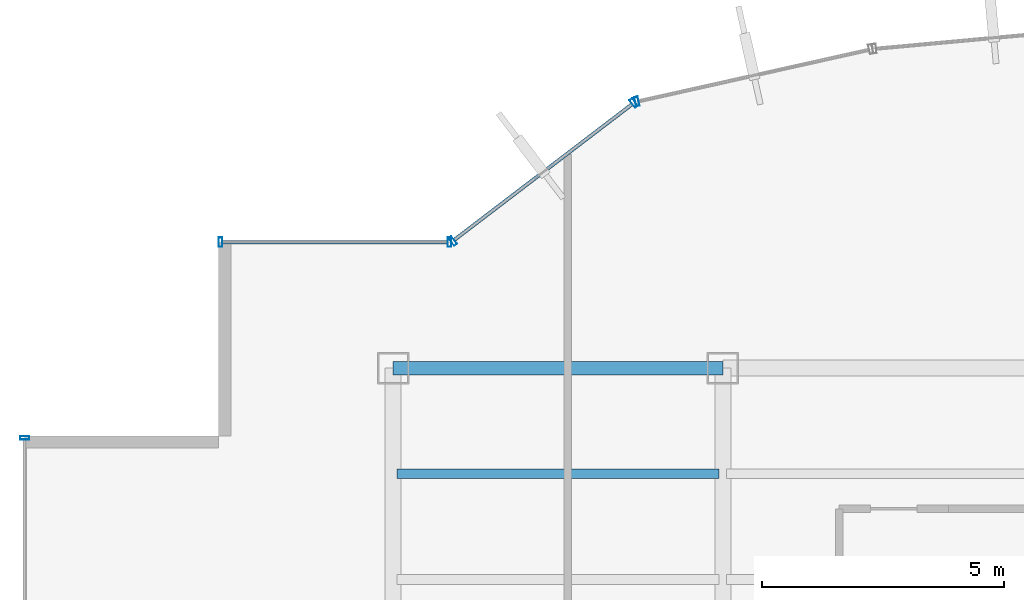
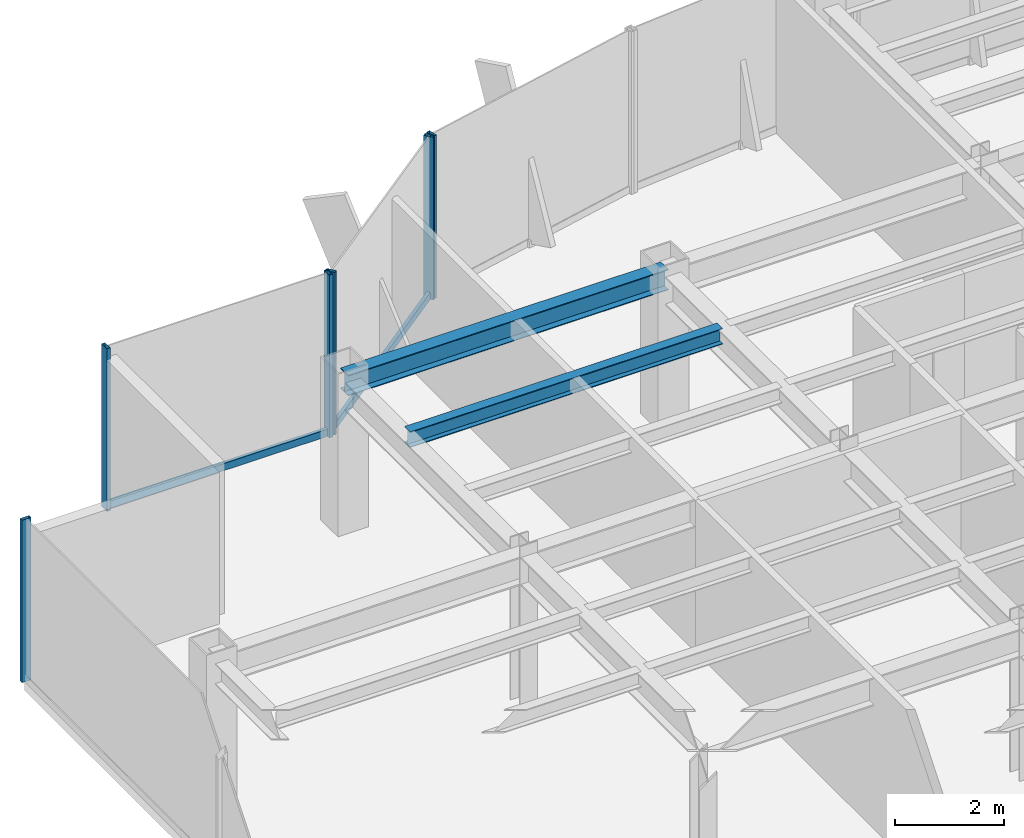
# One storey, part 14 of 25: 8 members, 2 beams, 4 elements without a shape of their own.
"""IFC4 building model written with IfcOpenShell, lengths in metres."""

from ifc_helpers import new_model, si_unit, derived_unit, direction, frame, origin, origin_2d, place, context, subcontext, project, spatial, hollow_rectangle, i_section, extrude, source, transform, mapped, material, material_profile, profile_set, type_object, element, aggregate, save


model = new_model("IFC4")

# Units and contexts
model_context = context("Model", 3, precision=1e-05, world=origin(), true_north=direction((0.0, 1.0)))
body_context = subcontext(model_context, "Body", "Model", "MODEL_VIEW")
ifc_project = project(units=[si_unit("LENGTHUNIT", "METRE"), si_unit("AREAUNIT", "SQUARE_METRE"), si_unit("VOLUMEUNIT", "CUBIC_METRE"), si_unit("PLANEANGLEUNIT", "RADIAN"), si_unit("MASSUNIT", "GRAM", prefix="KILO"), derived_unit("THERMALTRANSMITTANCEUNIT", [(si_unit("POWERUNIT", "WATT"), 1), (si_unit("LENGTHUNIT", "METRE"), -2), (si_unit("THERMODYNAMICTEMPERATUREUNIT", "KELVIN"), -1)])], contexts=[model_context])

# Site, building, storey
site_placement = place(None, origin())
site = spatial("IfcSite", under=ifc_project, at=site_placement, CompositionType="ELEMENT")
building_placement = place(site_placement, origin())
building = spatial("IfcBuilding", under=site, at=building_placement, Name="Skarnbrae Concourse Arena and Tower", CompositionType="ELEMENT")
storey_placement = place(building_placement, frame((0.0, 0.0, 173.449951171875)))
storey = spatial("IfcBuildingStorey", under=building, at=storey_placement, Name="L44", CompositionType="ELEMENT", Elevation=173.449951171875)

# Beams
ifc_material_1 = material(Name="Steel CSA G40.21 350W", Category="steel")
ifc_material_profile_1 = material_profile(ifc_material_1, i_section(OverallWidth=0.280029296875, OverallDepth=0.462890625, WebThickness=0.0107421875, FlangeThickness=0.017333984375, at=origin_2d()), Name="W460X113")
ifc_profile_set_1 = profile_set([ifc_material_profile_1], Name="Steel CSA G40.21 350W")
beam_type_1 = type_object("IfcBeamType", Name="BM-SPAN-W460X113", PredefinedType="SPANDREL", material=ifc_profile_set_1)
shared_shape_1 = source(origin(), body_context, "Body", "SweptSolid", [
    extrude(i_section(OverallWidth=0.280029296875, OverallDepth=0.462890625, WebThickness=0.0107421875, FlangeThickness=0.017333984375, at=origin_2d()), origin(), (0.0, 0.0, 1.0), 6.7998046875),
])
beam_1_placement = place(storey_placement, frame((7.60009765625, 34.39990234375, 3.16845703125), z_axis=(1.0, 0.0, 0.0), x_axis=(0.0, 1.0, 0.0)))
element("IfcBeam", 1, at=beam_1_placement, inside=storey, type_object=beam_type_1, Name="L44 Perimeter spandrel Y34.4-1", PredefinedType="SPANDREL", context=body_context, shape_type="MappedRepresentation", body=[
    mapped(shared_shape_1, transform((0.0, 0.0, 0.0))),
])
ifc_material_profile_2 = material_profile(ifc_material_1, i_section(OverallWidth=0.205078125, OverallDepth=0.35400390625, WebThickness=0.009521484375, FlangeThickness=0.016845703125, at=origin_2d()), Name="W360X79")
ifc_profile_set_2 = profile_set([ifc_material_profile_2], Name="Steel CSA G40.21 350W")
beam_type_2 = type_object("IfcBeamType", Name="BM-JOIST-W360X79", PredefinedType="JOIST", material=ifc_profile_set_2)
shared_shape_2 = source(origin(), body_context, "Body", "SweptSolid", [
    extrude(i_section(OverallWidth=0.205078125, OverallDepth=0.35400390625, WebThickness=0.009521484375, FlangeThickness=0.016845703125, at=origin_2d()), origin(), (0.0, 0.0, 1.0), 6.64013671875),
])
beam_2_placement = place(storey_placement, frame((7.679931640625, 32.221923828125, 3.22314453125), z_axis=(1.0, 0.0, 0.0), x_axis=(0.0, 1.0, 0.0)))
element("IfcBeam", 2, at=beam_2_placement, inside=storey, type_object=beam_type_2, Name="L44 Secondary floor joist 3.2.1", PredefinedType="JOIST", context=body_context, shape_type="MappedRepresentation", body=[
    mapped(shared_shape_2, transform((0.0, 0.0, 0.0))),
])

# Curtain wall, member
ifc_material_2 = material(Name="Bronze anodised aluminium 6063-T6", Category="aluminium")
curtain_wall_type = type_object("IfcCurtainWallType", Name="CW-SYS-04-MIDZONE", PredefinedType="USERDEFINED", material=ifc_material_2)
curtain_wall_1_placement = place(storey_placement, origin())
curtain_wall_1 = element("IfcCurtainWall", 3, at=curtain_wall_1_placement, inside=storey, type_object=curtain_wall_type, Name="L44 Unitised curtain wall CW-L44-E13", ObjectType="UNITISED CURTAIN WALL", PredefinedType="USERDEFINED")
ifc_material_profile_3 = material_profile(ifc_material_2, hollow_rectangle(XDim=0.074951171875, YDim=0.195068359375, WallThickness=0.00439453125, at=origin_2d()), Name="ALU-MULL-75X195")
ifc_profile_set_3 = profile_set([ifc_material_profile_3], Name="Bronze anodised aluminium 6063-T6")
member_type_1 = type_object("IfcMemberType", Name="CWM-CW-04", PredefinedType="MULLION", material=ifc_profile_set_3)
shared_shape_3 = source(origin(), body_context, "Body", "SweptSolid", [
    extrude(hollow_rectangle(XDim=0.074951171875, YDim=0.195068359375, WallThickness=0.00439453125, at=origin_2d()), origin(), (0.0, 0.0, 1.0), 3.650146484375),
])
member_1_placement = place(storey_placement, frame((12.627197265625, 39.90087890625, 0.0), z_axis=(0.0, 0.0, 1.0), x_axis=(-0.975936175393, -0.218056372433, 0.0)))
member_1 = element("IfcMember", 4, at=member_1_placement, type_object=member_type_1, Name="CW-L44-E13 Mullion 2", PredefinedType="MULLION", context=body_context, shape_type="MappedRepresentation", body=[
    mapped(shared_shape_3, transform((0.0, 0.0, 0.0))),
])
aggregate(curtain_wall_1, [member_1])

# Curtain wall, members
curtain_wall_2_placement = place(storey_placement, origin())
curtain_wall_2 = element("IfcCurtainWall", 5, at=curtain_wall_2_placement, inside=storey, type_object=curtain_wall_type, Name="L44 Unitised curtain wall CW-L44-E14", ObjectType="UNITISED CURTAIN WALL", PredefinedType="USERDEFINED")
member_2_placement = place(storey_placement, frame((12.560791015625, 39.869873046875, 0.0), z_axis=(0.0, 0.0, 1.0), x_axis=(-0.794956000706, -0.606667089054, 0.0)))
member_2 = element("IfcMember", 6, at=member_2_placement, type_object=member_type_1, Name="CW-L44-E14 Mullion 1", PredefinedType="MULLION", context=body_context, shape_type="MappedRepresentation", body=[
    mapped(shared_shape_3, transform((0.0, 0.0, 0.0))),
])
member_3_placement = place(storey_placement, frame((8.829833984375, 37.022705078125, 0.0), z_axis=(0.0, 0.0, 1.0), x_axis=(-0.794956000706, -0.606667089054, 0.0)))
member_3 = element("IfcMember", 7, at=member_3_placement, type_object=member_type_1, Name="CW-L44-E14 Mullion 2", PredefinedType="MULLION", context=body_context, shape_type="MappedRepresentation", body=[
    mapped(shared_shape_3, transform((0.0, 0.0, 0.0))),
])

curtain_wall_3_placement = place(storey_placement, origin())
curtain_wall_3 = element("IfcCurtainWall", 8, at=curtain_wall_3_placement, inside=storey, type_object=curtain_wall_type, Name="L44 Unitised curtain wall CW-L44-E15", ObjectType="UNITISED CURTAIN WALL", PredefinedType="USERDEFINED")
member_4_placement = place(storey_placement, frame((8.762451171875, 37.0, 0.0), z_axis=(0.0, 0.0, 1.0), x_axis=(-1.0, 0.0, 0.0)))
member_4 = element("IfcMember", 9, at=member_4_placement, type_object=member_type_1, Name="CW-L44-E15 Mullion 1", PredefinedType="MULLION", context=body_context, shape_type="MappedRepresentation", body=[
    mapped(shared_shape_3, transform((0.0, 0.0, 0.0))),
])
member_5_placement = place(storey_placement, frame((4.03759765625, 37.0, 0.0), z_axis=(0.0, 0.0, 1.0), x_axis=(-1.0, 0.0, 0.0)))
member_5 = element("IfcMember", 10, at=member_5_placement, type_object=member_type_1, Name="CW-L44-E15 Mullion 2", PredefinedType="MULLION", context=body_context, shape_type="MappedRepresentation", body=[
    mapped(shared_shape_3, transform((0.0, 0.0, 0.0))),
])

# Curtain wall, member
curtain_wall_4_placement = place(storey_placement, origin())
curtain_wall_4 = element("IfcCurtainWall", 11, at=curtain_wall_4_placement, inside=storey, type_object=curtain_wall_type, Name="L44 Unitised curtain wall CW-L44-E18", ObjectType="UNITISED CURTAIN WALL", PredefinedType="USERDEFINED")
member_6_placement = place(storey_placement, frame((0.0, 32.96240234375, 0.0), z_axis=(0.0, 0.0, 1.0), x_axis=(0.0, -1.0, 0.0)))
member_6 = element("IfcMember", 12, at=member_6_placement, type_object=member_type_1, Name="CW-L44-E18 Mullion 1", PredefinedType="MULLION", context=body_context, shape_type="MappedRepresentation", body=[
    mapped(shared_shape_3, transform((0.0, 0.0, 0.0))),
])
aggregate(curtain_wall_4, [member_6])

# Member
ifc_material_profile_4 = material_profile(ifc_material_2, hollow_rectangle(XDim=0.074951171875, YDim=0.159912109375, WallThickness=0.00439453125, at=origin_2d()), Name="ALU-TRAN-75X160")
ifc_profile_set_4 = profile_set([ifc_material_profile_4], Name="Bronze anodised aluminium 6063-T6")
member_type_2 = type_object("IfcMemberType", Name="CWT-CW-04", PredefinedType="USERDEFINED", material=ifc_profile_set_4)
shared_shape_4 = source(origin(), body_context, "Body", "SweptSolid", [
    extrude(hollow_rectangle(XDim=0.074951171875, YDim=0.159912109375, WallThickness=0.00439453125, at=origin_2d()), origin(), (0.0, 0.0, 1.0), 4.650146484375),
])
member_7_placement = place(storey_placement, frame((8.72509765625, 37.0, 0.080078125), z_axis=(-1.0, 0.0, 0.0), x_axis=(0.0, -1.0, 0.0)))
member_7 = element("IfcMember", 13, at=member_7_placement, type_object=member_type_2, Name="CW-L44-E15 Transom 1", ObjectType="TRANSOM", PredefinedType="USERDEFINED", context=body_context, shape_type="MappedRepresentation", body=[
    mapped(shared_shape_4, transform((0.0, 0.0, 0.0))),
])

aggregate(curtain_wall_3, [member_4, member_5, member_7])

shared_shape_5 = source(origin(), body_context, "Body", "SweptSolid", [
    extrude(hollow_rectangle(XDim=0.074951171875, YDim=0.159912109375, WallThickness=0.00439453125, at=origin_2d()), origin(), (0.0, 0.0, 1.0), 4.618408203125),
])
member_8_placement = place(storey_placement, frame((12.531005859375, 39.84716796875, 0.080078125), z_axis=(-0.794960638756, -0.606661011462, 0.0), x_axis=(0.606661011462, -0.794960638756, 0.0)))
member_8 = element("IfcMember", 14, at=member_8_placement, type_object=member_type_2, Name="CW-L44-E14 Transom 1", ObjectType="TRANSOM", PredefinedType="USERDEFINED", context=body_context, shape_type="MappedRepresentation", body=[
    mapped(shared_shape_5, transform((0.0, 0.0, 0.0))),
])

aggregate(curtain_wall_2, [member_2, member_3, member_8])

save(model, "model.ifc")
